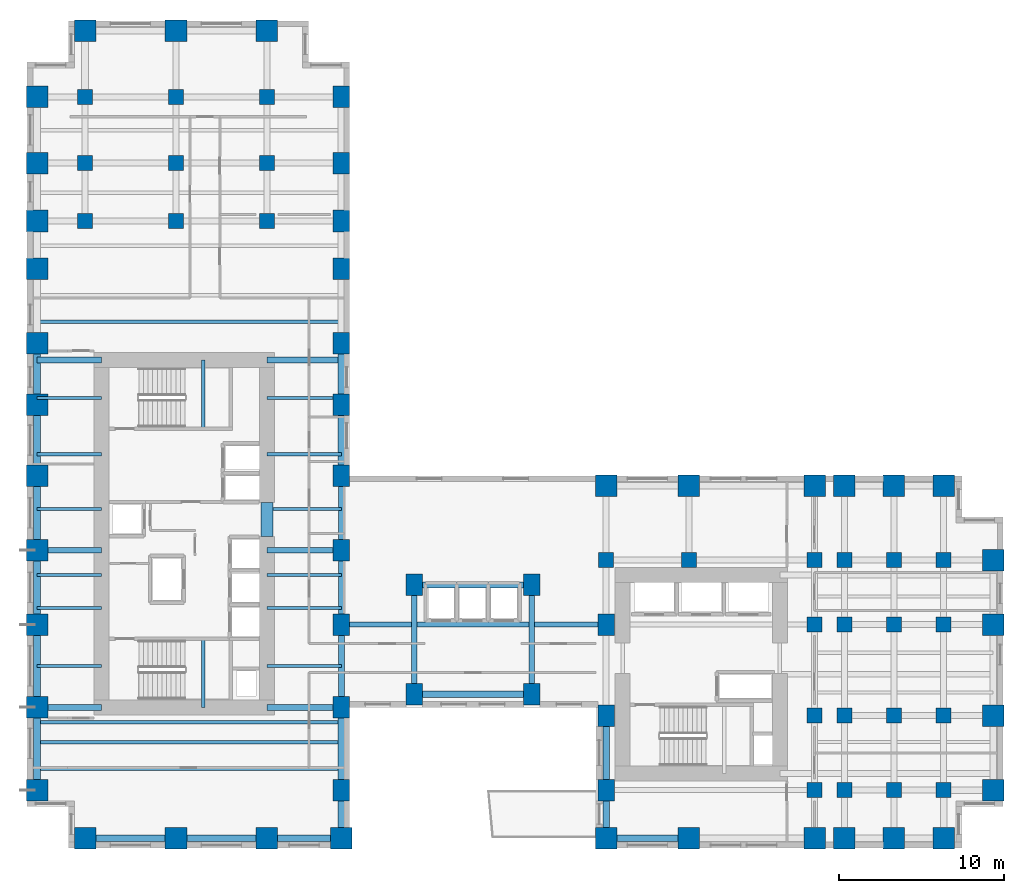
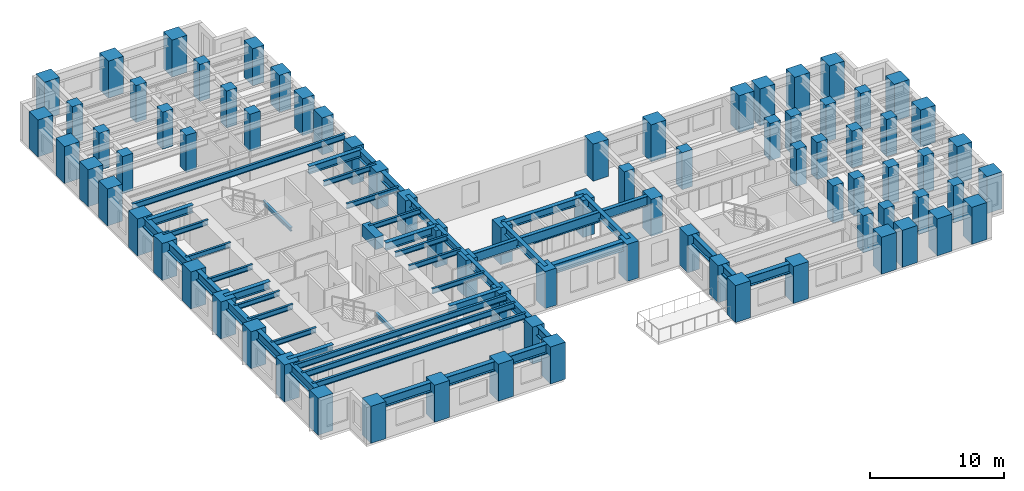
# One storey, part 1 of 12: 79 columns, 49 beams.
"""IFC4 building model written with IfcOpenShell, lengths in metres."""

from ifc_helpers import new_model, si_unit, direction, frame, origin, origin_2d, place, context, subcontext, project, spatial, rectangle, i_section, extrude, source, transform, mapped, material, material_profile, profile_set, type_object, element, save


model = new_model("IFC4")

# Units and contexts
model_context = context("Model", 3, precision=1e-05, world=origin(), true_north=direction((0.0, 1.0)))
body_context = subcontext(model_context, "Body", "Model", "MODEL_VIEW")
ifc_project = project(units=[si_unit("LENGTHUNIT", "METRE"), si_unit("AREAUNIT", "SQUARE_METRE"), si_unit("VOLUMEUNIT", "CUBIC_METRE"), si_unit("PLANEANGLEUNIT", "RADIAN"), si_unit("MASSUNIT", "GRAM", prefix="KILO")], contexts=[model_context])

# Site, building, storey
site_placement = place(None, origin())
site = spatial("IfcSite", under=ifc_project, at=site_placement, CompositionType="ELEMENT")
building_placement = place(site_placement, origin())
building = spatial("IfcBuilding", under=site, at=building_placement, Name="Kharzan Plaza Tower", CompositionType="ELEMENT")
storey_placement = place(building_placement, frame((0.0, 0.0, 33.300048828125)))
storey = spatial("IfcBuildingStorey", under=building, at=storey_placement, Name="L08", CompositionType="ELEMENT", Elevation=33.300048828125)

# Columns
ifc_material_1 = material(Name="Concrete C50/60", Category="concrete")
ifc_material_profile_1 = material_profile(ifc_material_1, rectangle(XDim=0.89990234375, YDim=0.89990234375, at=origin_2d()), Name="RC-IC900x900")
ifc_profile_set_1 = profile_set([ifc_material_profile_1], Name="Concrete C50/60")
column_type_1 = type_object("IfcColumnType", Name="COL-IC900", PredefinedType="COLUMN", material=ifc_profile_set_1)
shared_shape_1 = source(origin(), body_context, "Body", "SweptSolid", [
    extrude(rectangle(XDim=0.89990234375, YDim=0.89990234375, at=origin_2d()), origin(), (0.0, 0.0, 1.0), 3.3798828125),
])
for number, where, z_axis, x_axis, name in (
    (1, (47.60009765625, 13.5, 0.0), (0.0, 0.0, 1.0), (1.0, 0.0, 0.0), "L08 Structural Column TCBI-135"),
    (2, (47.60009765625, 3.5, 0.0), (0.0, 0.0, 1.0), (1.0, 0.0, 0.0), "L08 Structural Column TCBI-35"),
    (3, (47.60009765625, 8.0, 0.0), (0.0, 0.0, 1.0), (1.0, 0.0, 0.0), "L08 Structural Column TCBI-80"),
    (4, (35.0, 17.39990234375, 0.0), (0.0, 0.0, 1.0), (1.0, 0.0, 0.0), "L08 Structural Column TCBN-350-174"),
    (5, (40.0, 17.39990234375, 0.0), (0.0, 0.0, 1.0), (1.0, 0.0, 0.0), "L08 Structural Column TCBN-400-174"),
    (6, (47.60009765625, 17.39990234375, 0.0), (0.0, 0.0, 1.0), (1.0, 0.0, 0.0), "L08 Structural Column TCBN-476-174"),
    (7, (49.39990234375, 13.5, 0.0), (0.0, 0.0, 1.0), (1.0, 0.0, 0.0), "L08 Structural Column TCE-494-135"),
    (8, (49.39990234375, 17.39990234375, 0.0), (0.0, 0.0, 1.0), (1.0, 0.0, 0.0), "L08 Structural Column TCE-494-174"),
    (9, (49.39990234375, 3.5, 0.0), (0.0, 0.0, 1.0), (1.0, 0.0, 0.0), "L08 Structural Column TCE-494-35"),
    (10, (49.39990234375, 8.0, 0.0), (0.0, 0.0, 1.0), (1.0, 0.0, 0.0), "L08 Structural Column TCE-494-80"),
    (11, (52.39990234375, 13.5, 0.0), (0.0, 0.0, 1.0), (1.0, 0.0, 0.0), "L08 Structural Column TCE-524-135"),
    (12, (52.39990234375, 17.39990234375, 0.0), (0.0, 0.0, 1.0), (1.0, 0.0, 0.0), "L08 Structural Column TCE-524-174"),
    (13, (52.39990234375, 3.5, 0.0), (0.0, 0.0, 1.0), (1.0, 0.0, 0.0), "L08 Structural Column TCE-524-35"),
    (14, (52.39990234375, 8.0, 0.0), (0.0, 0.0, 1.0), (1.0, 0.0, 0.0), "L08 Structural Column TCE-524-80"),
    (15, (55.39990234375, 13.5, 0.0), (0.0, 0.0, 1.0), (1.0, 0.0, 0.0), "L08 Structural Column TCE-554-135"),
    (16, (55.39990234375, 17.39990234375, 0.0), (0.0, 0.0, 1.0), (1.0, 0.0, 0.0), "L08 Structural Column TCE-554-174"),
    (17, (55.39990234375, 3.5, 0.0), (0.0, 0.0, 1.0), (1.0, 0.0, 0.0), "L08 Structural Column TCE-554-35"),
    (18, (55.39990234375, 8.0, 0.0), (0.0, 0.0, 1.0), (1.0, 0.0, 0.0), "L08 Structural Column TCE-554-80"),
    (19, (14.5, 37.89990234375, 0.0), (0.0, 0.0, 1.0), (1.0, 0.0, 0.0), "L08 Structural Column TCN-145-379"),
    (20, (14.5, 41.39990234375, 0.0), (0.0, 0.0, 1.0), (1.0, 0.0, 0.0), "L08 Structural Column TCN-145-414"),
    (21, (14.5, 45.39990234375, 0.0), (0.0, 0.0, 1.0), (1.0, 0.0, 0.0), "L08 Structural Column TCN-145-454"),
    (22, (3.5, 37.89990234375, 0.0), (0.0, 0.0, 1.0), (1.0, 0.0, 0.0), "L08 Structural Column TCN-35-379"),
    (23, (3.5, 41.39990234375, 0.0), (0.0, 0.0, 1.0), (1.0, 0.0, 0.0), "L08 Structural Column TCN-35-414"),
    (24, (3.5, 45.39990234375, 0.0), (0.0, 0.0, 1.0), (1.0, 0.0, 0.0), "L08 Structural Column TCN-35-454"),
    (25, (9.0, 37.89990234375, 0.0), (0.0, 0.0, 1.0), (1.0, 0.0, 0.0), "L08 Structural Column TCN-90-379"),
    (26, (9.0, 41.39990234375, 0.0), (0.0, 0.0, 1.0), (1.0, 0.0, 0.0), "L08 Structural Column TCN-90-414"),
    (27, (9.0, 45.39990234375, 0.0), (0.0, 0.0, 1.0), (1.0, 0.0, 0.0), "L08 Structural Column TCN-90-454"),
):
    element("IfcColumn", number, at=place(storey_placement, frame(where, z_axis=z_axis, x_axis=x_axis)), inside=storey, type_object=column_type_1, Name=name, PredefinedType="COLUMN", context=body_context, shape_type="MappedRepresentation", body=[
        mapped(shared_shape_1, transform((0.0, 0.0, 0.0), x_axis=(1.0, 0.0, 0.0), y_axis=(0.0, 1.0, 0.0), z_axis=(0.0, 0.0, 1.0))),
    ])
ifc_material_2 = material(Name="Concrete C60/75", Category="concrete")
ifc_material_profile_2 = material_profile(ifc_material_2, rectangle(XDim=1.0, YDim=1.300048828125, at=origin_2d()), Name="RC-SC1300x1000")
ifc_profile_set_2 = profile_set([ifc_material_profile_2], Name="Concrete C60/75")
column_type_2 = type_object("IfcColumnType", Name="COL-SC1300", PredefinedType="COLUMN", material=ifc_profile_set_2)
shared_shape_2 = source(origin(), body_context, "Body", "SweptSolid", [
    extrude(rectangle(XDim=1.0, YDim=1.300048828125, at=origin_2d()), origin(), (0.0, 0.0, 1.0), 3.3798828125),
])
for number, where, z_axis, x_axis, name in (
    (28, (19.0, 13.5, 0.0), (0.0, 0.0, 1.0), (1.0, 0.0, 0.0), "L08 Structural Column TCA-135"),
    (29, (19.0, 18.0, 0.0), (0.0, 0.0, 1.0), (1.0, 0.0, 0.0), "L08 Structural Column TCA-180"),
    (30, (19.0, 22.5, 0.0), (0.0, 0.0, 1.0), (1.0, 0.0, 0.0), "L08 Structural Column TCA-225"),
    (31, (19.0, 26.800048828125, 0.0), (0.0, 0.0, 1.0), (1.0, 0.0, 0.0), "L08 Structural Column TCA-268"),
    (32, (19.0, 30.5, 0.0), (0.0, 0.0, 1.0), (1.0, 0.0, 0.0), "L08 Structural Column TCA-305"),
    (33, (19.0, 3.5, 0.0), (0.0, 0.0, 1.0), (1.0, 0.0, 0.0), "L08 Structural Column TCA-35"),
    (34, (19.0, 35.0, 0.0), (0.0, 0.0, 1.0), (1.0, 0.0, 0.0), "L08 Structural Column TCA-350"),
    (35, (19.0, 37.89990234375, 0.0), (0.0, 0.0, 1.0), (1.0, 0.0, 0.0), "L08 Structural Column TCA-379"),
    (36, (19.0, 41.39990234375, 0.0), (0.0, 0.0, 1.0), (1.0, 0.0, 0.0), "L08 Structural Column TCA-414"),
    (37, (19.0, 45.39990234375, 0.0), (0.0, 0.0, 1.0), (1.0, 0.0, 0.0), "L08 Structural Column TCA-454"),
    (38, (19.0, 8.5, 0.0), (0.0, 0.0, 1.0), (1.0, 0.0, 0.0), "L08 Structural Column TCA-85"),
    (39, (35.0, 13.5, 0.0), (0.0, 0.0, 1.0), (1.0, 0.0, 0.0), "L08 Structural Column TCBS-135"),
    (40, (35.0, 3.5, 0.0), (0.0, 0.0, 1.0), (1.0, 0.0, 0.0), "L08 Structural Column TCBS-35"),
    (41, (35.0, 8.0, 0.0), (0.0, 0.0, 1.0), (1.0, 0.0, 0.0), "L08 Structural Column TCBS-80"),
    (42, (23.39990234375, 15.89990234375, 0.0), (0.0, 0.0, 1.0), (1.0, 0.0, 0.0), "L08 Structural Column TCSP-234-159"),
    (43, (23.39990234375, 9.300048828125, 0.0), (0.0, 0.0, 1.0), (1.0, 0.0, 0.0), "L08 Structural Column TCSP-234-93"),
    (44, (30.5, 15.89990234375, 0.0), (0.0, 0.0, 1.0), (1.0, 0.0, 0.0), "L08 Structural Column TCSP-305-159"),
    (45, (30.5, 9.300048828125, 0.0), (0.0, 0.0, 1.0), (1.0, 0.0, 0.0), "L08 Structural Column TCSP-305-93"),
):
    element("IfcColumn", number, at=place(storey_placement, frame(where, z_axis=z_axis, x_axis=x_axis)), inside=storey, type_object=column_type_2, Name=name, PredefinedType="COLUMN", context=body_context, shape_type="MappedRepresentation", body=[
        mapped(shared_shape_2, transform((0.0, 0.0, 0.0), x_axis=(1.0, 0.0, 0.0), y_axis=(0.0, 1.0, 0.0), z_axis=(0.0, 0.0, 1.0))),
    ])
ifc_material_profile_3 = material_profile(ifc_material_2, rectangle(XDim=1.300048828125, YDim=1.300048828125, at=origin_2d()), Name="RC-TC1300x1300")
ifc_profile_set_3 = profile_set([ifc_material_profile_3], Name="Concrete C60/75")
column_type_3 = type_object("IfcColumnType", Name="COL-TC1300", PredefinedType="COLUMN", material=ifc_profile_set_3)
shared_shape_3 = source(origin(), body_context, "Body", "SweptSolid", [
    extrude(rectangle(XDim=1.300048828125, YDim=1.300048828125, at=origin_2d()), origin(), (0.0, 0.0, 1.0), 3.3798828125),
])
for number, where, z_axis, x_axis, name in (
    (46, (35.0, 21.89990234375, 0.0), (0.0, 0.0, 1.0), (1.0, 0.0, 0.0), "L08 Structural Column TCBN-350-219"),
    (47, (40.0, 21.89990234375, 0.0), (0.0, 0.0, 1.0), (1.0, 0.0, 0.0), "L08 Structural Column TCBN-400-219"),
    (48, (47.60009765625, 21.89990234375, 0.0), (0.0, 0.0, 1.0), (1.0, 0.0, 0.0), "L08 Structural Column TCBN-476-219"),
    (49, (49.39990234375, 21.89990234375, 0.0), (0.0, 0.0, 1.0), (1.0, 0.0, 0.0), "L08 Structural Column TCBN-494-219"),
    (50, (52.39990234375, 21.89990234375, 0.0), (0.0, 0.0, 1.0), (1.0, 0.0, 0.0), "L08 Structural Column TCBN-524-219"),
    (51, (55.39990234375, 21.89990234375, 0.0), (0.0, 0.0, 1.0), (1.0, 0.0, 0.0), "L08 Structural Column TCBN-554-219"),
    (52, (58.39990234375, 13.5, 0.0), (0.0, 0.0, 1.0), (1.0, 0.0, 0.0), "L08 Structural Column TCE-584-135"),
    (53, (58.39990234375, 17.39990234375, 0.0), (0.0, 0.0, 1.0), (1.0, 0.0, 0.0), "L08 Structural Column TCE-584-174"),
    (54, (58.39990234375, 3.5, 0.0), (0.0, 0.0, 1.0), (1.0, 0.0, 0.0), "L08 Structural Column TCE-584-35"),
    (55, (58.39990234375, 8.0, 0.0), (0.0, 0.0, 1.0), (1.0, 0.0, 0.0), "L08 Structural Column TCE-584-80"),
    (56, (14.5, 49.39990234375, 0.0), (0.0, 0.0, 1.0), (1.0, 0.0, 0.0), "L08 Structural Column TCN-145-494"),
    (57, (3.5, 49.39990234375, 0.0), (0.0, 0.0, 1.0), (1.0, 0.0, 0.0), "L08 Structural Column TCN-35-494"),
    (58, (9.0, 49.39990234375, 0.0), (0.0, 0.0, 1.0), (1.0, 0.0, 0.0), "L08 Structural Column TCN-90-494"),
    (59, (14.5, 0.60009765625, 0.0), (0.0, 0.0, 1.0), (1.0, 0.0, 0.0), "L08 Structural Column TCS-145"),
    (60, (19.0, 0.60009765625, 0.0), (0.0, 0.0, 1.0), (1.0, 0.0, 0.0), "L08 Structural Column TCS-190"),
    (61, (3.5, 0.60009765625, 0.0), (0.0, 0.0, 1.0), (1.0, 0.0, 0.0), "L08 Structural Column TCS-35"),
    (62, (35.0, 0.60009765625, 0.0), (0.0, 0.0, 1.0), (1.0, 0.0, 0.0), "L08 Structural Column TCS-350"),
    (63, (40.0, 0.60009765625, 0.0), (0.0, 0.0, 1.0), (1.0, 0.0, 0.0), "L08 Structural Column TCS-400"),
    (64, (47.60009765625, 0.60009765625, 0.0), (0.0, 0.0, 1.0), (1.0, 0.0, 0.0), "L08 Structural Column TCS-476"),
    (65, (49.39990234375, 0.60009765625, 0.0), (0.0, 0.0, 1.0), (1.0, 0.0, 0.0), "L08 Structural Column TCS-494"),
    (66, (52.39990234375, 0.60009765625, 0.0), (0.0, 0.0, 1.0), (1.0, 0.0, 0.0), "L08 Structural Column TCS-524"),
    (67, (55.39990234375, 0.60009765625, 0.0), (0.0, 0.0, 1.0), (1.0, 0.0, 0.0), "L08 Structural Column TCS-554"),
    (68, (9.0, 0.60009765625, 0.0), (0.0, 0.0, 1.0), (1.0, 0.0, 0.0), "L08 Structural Column TCS-90"),
    (69, (0.60009765625, 13.5, 0.0), (0.0, 0.0, 1.0), (1.0, 0.0, 0.0), "L08 Structural Column TCW-135"),
    (70, (0.60009765625, 18.0, 0.0), (0.0, 0.0, 1.0), (1.0, 0.0, 0.0), "L08 Structural Column TCW-180"),
    (71, (0.60009765625, 22.5, 0.0), (0.0, 0.0, 1.0), (1.0, 0.0, 0.0), "L08 Structural Column TCW-225"),
    (72, (0.60009765625, 26.800048828125, 0.0), (0.0, 0.0, 1.0), (1.0, 0.0, 0.0), "L08 Structural Column TCW-268"),
    (73, (0.60009765625, 30.5, 0.0), (0.0, 0.0, 1.0), (1.0, 0.0, 0.0), "L08 Structural Column TCW-305"),
    (74, (0.60009765625, 3.5, 0.0), (0.0, 0.0, 1.0), (1.0, 0.0, 0.0), "L08 Structural Column TCW-35"),
    (75, (0.60009765625, 35.0, 0.0), (0.0, 0.0, 1.0), (1.0, 0.0, 0.0), "L08 Structural Column TCW-350"),
    (76, (0.60009765625, 37.89990234375, 0.0), (0.0, 0.0, 1.0), (1.0, 0.0, 0.0), "L08 Structural Column TCW-379"),
    (77, (0.60009765625, 41.39990234375, 0.0), (0.0, 0.0, 1.0), (1.0, 0.0, 0.0), "L08 Structural Column TCW-414"),
    (78, (0.60009765625, 45.39990234375, 0.0), (0.0, 0.0, 1.0), (1.0, 0.0, 0.0), "L08 Structural Column TCW-454"),
    (79, (0.60009765625, 8.5, 0.0), (0.0, 0.0, 1.0), (1.0, 0.0, 0.0), "L08 Structural Column TCW-85"),
):
    element("IfcColumn", number, at=place(storey_placement, frame(where, z_axis=z_axis, x_axis=x_axis)), inside=storey, type_object=column_type_3, Name=name, PredefinedType="COLUMN", context=body_context, shape_type="MappedRepresentation", body=[
        mapped(shared_shape_3, transform((0.0, 0.0, 0.0), x_axis=(1.0, 0.0, 0.0), y_axis=(0.0, 1.0, 0.0), z_axis=(0.0, 0.0, 1.0))),
    ])

# Beams
ifc_material_profile_4 = material_profile(ifc_material_2, rectangle(XDim=0.699951171875, YDim=1.10009765625, at=origin_2d()), Name="RC-CB1100x700")
ifc_profile_set_4 = profile_set([ifc_material_profile_4], Name="Concrete C60/75")
beam_type_1 = type_object("IfcBeamType", Name="BM-RCCB1100", PredefinedType="LINTEL", material=ifc_profile_set_4)
shared_shape_4 = source(origin(), body_context, "Body", "SweptSolid", [
    extrude(rectangle(XDim=0.699951171875, YDim=1.10009765625, at=origin_2d()), origin(), (0.0, 0.0, 1.0), 2.059814453125),
])
beam_1_placement = place(storey_placement, frame((14.5, 18.820068359375, 2.829833984375), z_axis=(0.0, 1.0, 0.0), x_axis=(-1.0, 0.0, 0.0)))
element("IfcBeam", 80, at=beam_1_placement, inside=storey, type_object=beam_type_1, Name="L08 CORE-A RC coupling beam CB1", PredefinedType="LINTEL", context=body_context, shape_type="MappedRepresentation", body=[
    mapped(shared_shape_4, transform((0.0, 0.0, 0.0), x_axis=(1.0, 0.0, 0.0), y_axis=(0.0, 1.0, 0.0), z_axis=(0.0, 0.0, 1.0))),
])
ifc_material_3 = material(Name="Steel S355", Category="steel")
ifc_material_profile_5 = material_profile(ifc_material_3, i_section(OverallWidth=0.205078125, OverallDepth=0.35400390625, WebThickness=0.009521484375, FlangeThickness=0.016845703125, at=origin_2d()), Name="W360x79")
ifc_profile_set_5 = profile_set([ifc_material_profile_5], Name="Steel S355")
beam_type_2 = type_object("IfcBeamType", Name="BM-LNT360", PredefinedType="LINTEL", material=ifc_profile_set_5)
shared_shape_5 = source(origin(), body_context, "Body", "SweptSolid", [
    extrude(i_section(OverallWidth=0.205078125, OverallDepth=0.35400390625, WebThickness=0.009521484375, FlangeThickness=0.016845703125, at=origin_2d()), origin(), (0.0, 0.0, 1.0), 4.155029296875),
])
for number, where, z_axis, x_axis, name in (
    (81, (10.64990234375, 8.5, 1.4228515625), (0.0, 1.0, 0.0), (-1.0, 0.0, 0.0), "L08 Stair ST-1 Half-Landing Beam"),
    (82, (10.64990234375, 25.344970703125, 1.4228515625), (0.0, 1.0, 0.0), (-1.0, 0.0, 0.0), "L08 Stair ST-2 Half-Landing Beam"),
):
    element("IfcBeam", number, at=place(storey_placement, frame(where, z_axis=z_axis, x_axis=x_axis)), inside=storey, type_object=beam_type_2, Name=name, PredefinedType="LINTEL", context=body_context, shape_type="MappedRepresentation", body=[
        mapped(shared_shape_5, transform((0.0, 0.0, 0.0), x_axis=(1.0, 0.0, 0.0), y_axis=(0.0, 1.0, 0.0), z_axis=(0.0, 0.0, 1.0))),
    ])
ifc_material_profile_6 = material_profile(ifc_material_3, i_section(OverallWidth=0.304931640625, OverallDepth=0.9189453125, WebThickness=0.017333984375, FlangeThickness=0.02783203125, at=origin_2d()), Name="W920x253")
ifc_profile_set_6 = profile_set([ifc_material_profile_6], Name="Steel S355")
beam_type_3 = type_object("IfcBeamType", Name="BM-FG920B", PredefinedType="BEAM", material=ifc_profile_set_6)
shared_shape_6 = source(origin(), body_context, "Body", "SweptSolid", [
    extrude(i_section(OverallWidth=0.304931640625, OverallDepth=0.9189453125, WebThickness=0.017333984375, FlangeThickness=0.02783203125, at=origin_2d()), origin(), (0.0, 0.0, 1.0), 16.0),
])
beam_2_placement = place(storey_placement, frame((19.0, 13.5, 2.92041015625), z_axis=(1.0, 0.0, 0.0), x_axis=(0.0, 1.0, 0.0)))
element("IfcBeam", 83, at=beam_2_placement, inside=storey, type_object=beam_type_3, Name="L08 Primary Floor Girder", PredefinedType="BEAM", context=body_context, shape_type="MappedRepresentation", body=[
    mapped(shared_shape_6, transform((0.0, 0.0, 0.0), x_axis=(1.0, 0.0, 0.0), y_axis=(0.0, 1.0, 0.0), z_axis=(0.0, 0.0, 1.0))),
])
ifc_material_profile_7 = material_profile(ifc_material_3, i_section(OverallWidth=0.35498046875, OverallDepth=0.695068359375, WebThickness=0.015380859375, FlangeThickness=0.02490234375, at=origin_2d()), Name="W690x217")
ifc_profile_set_7 = profile_set([ifc_material_profile_7], Name="Steel S355")
beam_type_4 = type_object("IfcBeamType", Name="BM-FG690A", PredefinedType="BEAM", material=ifc_profile_set_7)
shared_shape_7 = source(origin(), body_context, "Body", "SweptSolid", [
    extrude(i_section(OverallWidth=0.35498046875, OverallDepth=0.695068359375, WebThickness=0.015380859375, FlangeThickness=0.02490234375, at=origin_2d()), origin(), (0.0, 0.0, 1.0), 4.5),
])
for number, where, z_axis, x_axis, name in (
    (84, (14.5, 8.5, 3.032470703125), (1.0, 0.0, 0.0), (0.0, 1.0, 0.0), "L08 Core-A East Floor Girder 1"),
    (85, (14.5, 18.0, 3.032470703125), (1.0, 0.0, 0.0), (0.0, 1.0, 0.0), "L08 Core-A East Floor Girder 2"),
    (86, (14.5, 29.5, 3.032470703125), (1.0, 0.0, 0.0), (0.0, 1.0, 0.0), "L08 Core-A East Floor Girder 3"),
    (87, (19.0, 13.5, 3.032470703125), (0.0, 1.0, 0.0), (-1.0, 0.0, 0.0), "L08 Interior Frame Girder"),
    (88, (19.0, 18.0, 3.032470703125), (0.0, 1.0, 0.0), (-1.0, 0.0, 0.0), "L08 Interior Frame Girder"),
):
    element("IfcBeam", number, at=place(storey_placement, frame(where, z_axis=z_axis, x_axis=x_axis)), inside=storey, type_object=beam_type_4, Name=name, PredefinedType="BEAM", context=body_context, shape_type="MappedRepresentation", body=[
        mapped(shared_shape_7, transform((0.0, 0.0, 0.0), x_axis=(1.0, 0.0, 0.0), y_axis=(0.0, 1.0, 0.0), z_axis=(0.0, 0.0, 1.0))),
    ])
shared_shape_8 = source(origin(), body_context, "Body", "SweptSolid", [
    extrude(i_section(OverallWidth=0.35498046875, OverallDepth=0.695068359375, WebThickness=0.015380859375, FlangeThickness=0.02490234375, at=origin_2d()), origin(), (0.0, 0.0, 1.0), 3.89990234375),
])
for number, where, z_axis, x_axis, name in (
    (89, (0.60009765625, 8.5, 3.032470703125), (1.0, 0.0, 0.0), (0.0, 1.0, 0.0), "L08 Core-A West Floor Girder 1"),
    (90, (0.60009765625, 18.0, 3.032470703125), (1.0, 0.0, 0.0), (0.0, 1.0, 0.0), "L08 Core-A West Floor Girder 2"),
    (91, (0.60009765625, 29.5, 3.032470703125), (1.0, 0.0, 0.0), (0.0, 1.0, 0.0), "L08 Core-A West Floor Girder 3"),
):
    element("IfcBeam", number, at=place(storey_placement, frame(where, z_axis=z_axis, x_axis=x_axis)), inside=storey, type_object=beam_type_4, Name=name, PredefinedType="BEAM", context=body_context, shape_type="MappedRepresentation", body=[
        mapped(shared_shape_8, transform((0.0, 0.0, 0.0), x_axis=(1.0, 0.0, 0.0), y_axis=(0.0, 1.0, 0.0), z_axis=(0.0, 0.0, 1.0))),
    ])
shared_shape_9 = source(origin(), body_context, "Body", "SweptSolid", [
    extrude(i_section(OverallWidth=0.35498046875, OverallDepth=0.695068359375, WebThickness=0.015380859375, FlangeThickness=0.02490234375, at=origin_2d()), origin(), (0.0, 0.0, 1.0), 5.0),
])
beam_3_placement = place(storey_placement, frame((19.0, 8.5, 3.032470703125), z_axis=(0.0, 1.0, 0.0), x_axis=(-1.0, 0.0, 0.0)))
element("IfcBeam", 92, at=beam_3_placement, inside=storey, type_object=beam_type_4, Name="L08 Interior Frame Girder", PredefinedType="BEAM", context=body_context, shape_type="MappedRepresentation", body=[
    mapped(shared_shape_9, transform((0.0, 0.0, 0.0), x_axis=(1.0, 0.0, 0.0), y_axis=(0.0, 1.0, 0.0), z_axis=(0.0, 0.0, 1.0))),
])
shared_shape_10 = source(origin(), body_context, "Body", "SweptSolid", [
    extrude(i_section(OverallWidth=0.35498046875, OverallDepth=0.695068359375, WebThickness=0.015380859375, FlangeThickness=0.02490234375, at=origin_2d()), origin(), (0.0, 0.0, 1.0), 6.599853515625),
])
for number, where, z_axis, x_axis, name in (
    (93, (23.39990234375, 9.300048828125, 3.032470703125), (0.0, 1.0, 0.0), (-1.0, 0.0, 0.0), "L08 Interior Frame Girder"),
    (94, (30.5, 9.300048828125, 3.032470703125), (0.0, 1.0, 0.0), (-1.0, 0.0, 0.0), "L08 Interior Frame Girder"),
):
    element("IfcBeam", number, at=place(storey_placement, frame(where, z_axis=z_axis, x_axis=x_axis)), inside=storey, type_object=beam_type_4, Name=name, PredefinedType="BEAM", context=body_context, shape_type="MappedRepresentation", body=[
        mapped(shared_shape_10, transform((0.0, 0.0, 0.0), x_axis=(1.0, 0.0, 0.0), y_axis=(0.0, 1.0, 0.0), z_axis=(0.0, 0.0, 1.0))),
    ])
shared_shape_11 = source(origin(), body_context, "Body", "SweptSolid", [
    extrude(i_section(OverallWidth=0.35498046875, OverallDepth=0.695068359375, WebThickness=0.015380859375, FlangeThickness=0.02490234375, at=origin_2d()), origin(), (0.0, 0.0, 1.0), 7.10009765625),
])
beam_4_placement = place(storey_placement, frame((23.39990234375, 15.89990234375, 3.032470703125), z_axis=(1.0, 0.0, 0.0), x_axis=(0.0, 1.0, 0.0)))
element("IfcBeam", 95, at=beam_4_placement, inside=storey, type_object=beam_type_4, Name="L08 Primary Floor Girder", PredefinedType="BEAM", context=body_context, shape_type="MappedRepresentation", body=[
    mapped(shared_shape_11, transform((0.0, 0.0, 0.0), x_axis=(1.0, 0.0, 0.0), y_axis=(0.0, 1.0, 0.0), z_axis=(0.0, 0.0, 1.0))),
])
ifc_material_profile_8 = material_profile(ifc_material_3, i_section(OverallWidth=0.2099609375, OverallDepth=0.537109375, WebThickness=0.010986328125, FlangeThickness=0.017333984375, at=origin_2d()), Name="W530x101")
ifc_profile_set_8 = profile_set([ifc_material_profile_8], Name="Steel S355")
beam_type_5 = type_object("IfcBeamType", Name="BM-JST530B", PredefinedType="JOIST", material=ifc_profile_set_8)
shared_shape_12 = source(origin(), body_context, "Body", "SweptSolid", [
    extrude(i_section(OverallWidth=0.2099609375, OverallDepth=0.537109375, WebThickness=0.010986328125, FlangeThickness=0.017333984375, at=origin_2d()), origin(), (0.0, 0.0, 1.0), 18.39990234375),
])
for number, where, z_axis, x_axis, name in (
    (96, (0.60009765625, 4.800048828125, 3.111572265625), (1.0, 0.0, 0.0), (0.0, 1.0, 0.0), "L08 Wing A Composite Joist 01"),
    (97, (0.60009765625, 6.39990234375, 3.111572265625), (1.0, 0.0, 0.0), (0.0, 1.0, 0.0), "L08 Wing A Composite Joist 02"),
    (98, (0.60009765625, 7.60009765625, 3.111572265625), (1.0, 0.0, 0.0), (0.0, 1.0, 0.0), "L08 Wing A Composite Joist 03"),
    (99, (0.60009765625, 31.800048828125, 3.111572265625), (1.0, 0.0, 0.0), (0.0, 1.0, 0.0), "L08 Wing A Composite Joist 04"),
):
    element("IfcBeam", number, at=place(storey_placement, frame(where, z_axis=z_axis, x_axis=x_axis)), inside=storey, type_object=beam_type_5, Name=name, PredefinedType="JOIST", context=body_context, shape_type="MappedRepresentation", body=[
        mapped(shared_shape_12, transform((0.0, 0.0, 0.0), x_axis=(1.0, 0.0, 0.0), y_axis=(0.0, 1.0, 0.0), z_axis=(0.0, 0.0, 1.0))),
    ])
ifc_material_profile_9 = material_profile(ifc_material_3, i_section(OverallWidth=0.194091796875, OverallDepth=0.468994140625, WebThickness=0.011474609375, FlangeThickness=0.0205078125, at=origin_2d()), Name="W460x106")
ifc_profile_set_9 = profile_set([ifc_material_profile_9], Name="Steel S355")
beam_type_6 = type_object("IfcBeamType", Name="BM-JST460", PredefinedType="JOIST", material=ifc_profile_set_9)
shared_shape_13 = source(origin(), body_context, "Body", "SweptSolid", [
    extrude(i_section(OverallWidth=0.194091796875, OverallDepth=0.468994140625, WebThickness=0.011474609375, FlangeThickness=0.0205078125, at=origin_2d()), origin(), (0.0, 0.0, 1.0), 4.5),
])
for number, where, z_axis, x_axis, name in (
    (100, (14.5, 11.0, 3.1455078125), (1.0, 0.0, 0.0), (0.0, 1.0, 0.0), "L08 Wing A East Infill Joist 1"),
    (101, (14.5, 14.5, 3.1455078125), (1.0, 0.0, 0.0), (0.0, 1.0, 0.0), "L08 Wing A East Infill Joist 2"),
    (102, (14.5, 16.5, 3.1455078125), (1.0, 0.0, 0.0), (0.0, 1.0, 0.0), "L08 Wing A East Infill Joist 3"),
    (103, (14.5, 20.5, 3.1455078125), (1.0, 0.0, 0.0), (0.0, 1.0, 0.0), "L08 Wing A East Infill Joist 4"),
    (104, (14.5, 23.800048828125, 3.1455078125), (1.0, 0.0, 0.0), (0.0, 1.0, 0.0), "L08 Wing A East Infill Joist 5"),
    (105, (14.5, 27.199951171875, 3.1455078125), (1.0, 0.0, 0.0), (0.0, 1.0, 0.0), "L08 Wing A East Infill Joist 6"),
):
    element("IfcBeam", number, at=place(storey_placement, frame(where, z_axis=z_axis, x_axis=x_axis)), inside=storey, type_object=beam_type_6, Name=name, PredefinedType="JOIST", context=body_context, shape_type="MappedRepresentation", body=[
        mapped(shared_shape_13, transform((0.0, 0.0, 0.0), x_axis=(1.0, 0.0, 0.0), y_axis=(0.0, 1.0, 0.0), z_axis=(0.0, 0.0, 1.0))),
    ])
shared_shape_14 = source(origin(), body_context, "Body", "SweptSolid", [
    extrude(i_section(OverallWidth=0.194091796875, OverallDepth=0.468994140625, WebThickness=0.011474609375, FlangeThickness=0.0205078125, at=origin_2d()), origin(), (0.0, 0.0, 1.0), 3.89990234375),
])
for number, where, z_axis, x_axis, name in (
    (106, (0.60009765625, 11.0, 3.1455078125), (1.0, 0.0, 0.0), (0.0, 1.0, 0.0), "L08 Wing A West Infill Joist 1"),
    (107, (0.60009765625, 14.5, 3.1455078125), (1.0, 0.0, 0.0), (0.0, 1.0, 0.0), "L08 Wing A West Infill Joist 2"),
    (108, (0.60009765625, 16.5, 3.1455078125), (1.0, 0.0, 0.0), (0.0, 1.0, 0.0), "L08 Wing A West Infill Joist 3"),
    (109, (0.60009765625, 20.5, 3.1455078125), (1.0, 0.0, 0.0), (0.0, 1.0, 0.0), "L08 Wing A West Infill Joist 4"),
    (110, (0.60009765625, 23.800048828125, 3.1455078125), (1.0, 0.0, 0.0), (0.0, 1.0, 0.0), "L08 Wing A West Infill Joist 5"),
    (111, (0.60009765625, 27.199951171875, 3.1455078125), (1.0, 0.0, 0.0), (0.0, 1.0, 0.0), "L08 Wing A West Infill Joist 6"),
):
    element("IfcBeam", number, at=place(storey_placement, frame(where, z_axis=z_axis, x_axis=x_axis)), inside=storey, type_object=beam_type_6, Name=name, PredefinedType="JOIST", context=body_context, shape_type="MappedRepresentation", body=[
        mapped(shared_shape_14, transform((0.0, 0.0, 0.0), x_axis=(1.0, 0.0, 0.0), y_axis=(0.0, 1.0, 0.0), z_axis=(0.0, 0.0, 1.0))),
    ])
ifc_material_profile_10 = material_profile(ifc_material_3, i_section(OverallWidth=0.40087890625, OverallDepth=0.85498046875, WebThickness=0.018310546875, FlangeThickness=0.029296875, at=origin_2d()), Name="W840x299")
ifc_profile_set_10 = profile_set([ifc_material_profile_10], Name="Steel S355")
beam_type_7 = type_object("IfcBeamType", Name="BM-SP840A", PredefinedType="SPANDREL", material=ifc_profile_set_10)
shared_shape_15 = source(origin(), body_context, "Body", "SweptSolid", [
    extrude(i_section(OverallWidth=0.40087890625, OverallDepth=0.85498046875, WebThickness=0.018310546875, FlangeThickness=0.029296875, at=origin_2d()), origin(), (0.0, 0.0, 1.0), 5.0),
])
for number, where, z_axis, x_axis, name in (
    (112, (0.60009765625, 3.5, 2.952392578125), (0.0, 1.0, 0.0), (-1.0, 0.0, 0.0), "L08 Perimeter Tube Spandrel"),
    (113, (0.60009765625, 8.5, 2.952392578125), (0.0, 1.0, 0.0), (-1.0, 0.0, 0.0), "L08 Perimeter Tube Spandrel"),
    (114, (19.0, 3.5, 2.952392578125), (0.0, 1.0, 0.0), (-1.0, 0.0, 0.0), "L08 Perimeter Tube Spandrel"),
    (115, (35.0, 0.60009765625, 2.952392578125), (1.0, 0.0, 0.0), (0.0, 1.0, 0.0), "L08 Perimeter Tube Spandrel"),
):
    element("IfcBeam", number, at=place(storey_placement, frame(where, z_axis=z_axis, x_axis=x_axis)), inside=storey, type_object=beam_type_7, Name=name, PredefinedType="SPANDREL", context=body_context, shape_type="MappedRepresentation", body=[
        mapped(shared_shape_15, transform((0.0, 0.0, 0.0), x_axis=(1.0, 0.0, 0.0), y_axis=(0.0, 1.0, 0.0), z_axis=(0.0, 0.0, 1.0))),
    ])
shared_shape_16 = source(origin(), body_context, "Body", "SweptSolid", [
    extrude(i_section(OverallWidth=0.40087890625, OverallDepth=0.85498046875, WebThickness=0.018310546875, FlangeThickness=0.029296875, at=origin_2d()), origin(), (0.0, 0.0, 1.0), 4.5),
])
for number, where, z_axis, x_axis, name in (
    (116, (0.60009765625, 13.5, 2.952392578125), (0.0, 1.0, 0.0), (-1.0, 0.0, 0.0), "L08 Perimeter Tube Spandrel"),
    (117, (0.60009765625, 18.0, 2.952392578125), (0.0, 1.0, 0.0), (-1.0, 0.0, 0.0), "L08 Perimeter Tube Spandrel"),
    (118, (35.0, 3.5, 2.952392578125), (0.0, 1.0, 0.0), (-1.0, 0.0, 0.0), "L08 Perimeter Tube Spandrel"),
    (119, (14.5, 0.60009765625, 2.952392578125), (1.0, 0.0, 0.0), (0.0, 1.0, 0.0), "L08 Perimeter Tube Spandrel"),
):
    element("IfcBeam", number, at=place(storey_placement, frame(where, z_axis=z_axis, x_axis=x_axis)), inside=storey, type_object=beam_type_7, Name=name, PredefinedType="SPANDREL", context=body_context, shape_type="MappedRepresentation", body=[
        mapped(shared_shape_16, transform((0.0, 0.0, 0.0), x_axis=(1.0, 0.0, 0.0), y_axis=(0.0, 1.0, 0.0), z_axis=(0.0, 0.0, 1.0))),
    ])
shared_shape_17 = source(origin(), body_context, "Body", "SweptSolid", [
    extrude(i_section(OverallWidth=0.40087890625, OverallDepth=0.85498046875, WebThickness=0.018310546875, FlangeThickness=0.029296875, at=origin_2d()), origin(), (0.0, 0.0, 1.0), 4.300048828125),
])
for number, where, z_axis, x_axis, name in (
    (120, (0.60009765625, 22.5, 2.952392578125), (0.0, 1.0, 0.0), (-1.0, 0.0, 0.0), "L08 Perimeter Tube Spandrel"),
    (121, (19.0, 22.5, 2.952392578125), (0.0, 1.0, 0.0), (-1.0, 0.0, 0.0), "L08 Perimeter Tube Spandrel"),
):
    element("IfcBeam", number, at=place(storey_placement, frame(where, z_axis=z_axis, x_axis=x_axis)), inside=storey, type_object=beam_type_7, Name=name, PredefinedType="SPANDREL", context=body_context, shape_type="MappedRepresentation", body=[
        mapped(shared_shape_17, transform((0.0, 0.0, 0.0), x_axis=(1.0, 0.0, 0.0), y_axis=(0.0, 1.0, 0.0), z_axis=(0.0, 0.0, 1.0))),
    ])
shared_shape_18 = source(origin(), body_context, "Body", "SweptSolid", [
    extrude(i_section(OverallWidth=0.40087890625, OverallDepth=0.85498046875, WebThickness=0.018310546875, FlangeThickness=0.029296875, at=origin_2d()), origin(), (0.0, 0.0, 1.0), 3.699951171875),
])
for number, where, z_axis, x_axis, name in (
    (122, (0.60009765625, 26.800048828125, 2.952392578125), (0.0, 1.0, 0.0), (-1.0, 0.0, 0.0), "L08 Perimeter Tube Spandrel"),
    (123, (19.0, 26.800048828125, 2.952392578125), (0.0, 1.0, 0.0), (-1.0, 0.0, 0.0), "L08 Perimeter Tube Spandrel"),
):
    element("IfcBeam", number, at=place(storey_placement, frame(where, z_axis=z_axis, x_axis=x_axis)), inside=storey, type_object=beam_type_7, Name=name, PredefinedType="SPANDREL", context=body_context, shape_type="MappedRepresentation", body=[
        mapped(shared_shape_18, transform((0.0, 0.0, 0.0), x_axis=(1.0, 0.0, 0.0), y_axis=(0.0, 1.0, 0.0), z_axis=(0.0, 0.0, 1.0))),
    ])
shared_shape_19 = source(origin(), body_context, "Body", "SweptSolid", [
    extrude(i_section(OverallWidth=0.40087890625, OverallDepth=0.85498046875, WebThickness=0.018310546875, FlangeThickness=0.029296875, at=origin_2d()), origin(), (0.0, 0.0, 1.0), 2.89990234375),
])
for number, where, z_axis, x_axis, name in (
    (124, (19.0, 0.60009765625, 2.952392578125), (0.0, 1.0, 0.0), (-1.0, 0.0, 0.0), "L08 Perimeter Tube Spandrel"),
    (125, (35.0, 0.60009765625, 2.952392578125), (0.0, 1.0, 0.0), (-1.0, 0.0, 0.0), "L08 Perimeter Tube Spandrel"),
):
    element("IfcBeam", number, at=place(storey_placement, frame(where, z_axis=z_axis, x_axis=x_axis)), inside=storey, type_object=beam_type_7, Name=name, PredefinedType="SPANDREL", context=body_context, shape_type="MappedRepresentation", body=[
        mapped(shared_shape_19, transform((0.0, 0.0, 0.0), x_axis=(1.0, 0.0, 0.0), y_axis=(0.0, 1.0, 0.0), z_axis=(0.0, 0.0, 1.0))),
    ])
shared_shape_20 = source(origin(), body_context, "Body", "SweptSolid", [
    extrude(i_section(OverallWidth=0.40087890625, OverallDepth=0.85498046875, WebThickness=0.018310546875, FlangeThickness=0.029296875, at=origin_2d()), origin(), (0.0, 0.0, 1.0), 5.5),
])
for number, where, z_axis, x_axis, name in (
    (126, (3.5, 0.60009765625, 2.952392578125), (1.0, 0.0, 0.0), (0.0, 1.0, 0.0), "L08 Perimeter Tube Spandrel"),
    (127, (9.0, 0.60009765625, 2.952392578125), (1.0, 0.0, 0.0), (0.0, 1.0, 0.0), "L08 Perimeter Tube Spandrel"),
):
    element("IfcBeam", number, at=place(storey_placement, frame(where, z_axis=z_axis, x_axis=x_axis)), inside=storey, type_object=beam_type_7, Name=name, PredefinedType="SPANDREL", context=body_context, shape_type="MappedRepresentation", body=[
        mapped(shared_shape_20, transform((0.0, 0.0, 0.0), x_axis=(1.0, 0.0, 0.0), y_axis=(0.0, 1.0, 0.0), z_axis=(0.0, 0.0, 1.0))),
    ])
shared_shape_21 = source(origin(), body_context, "Body", "SweptSolid", [
    extrude(i_section(OverallWidth=0.40087890625, OverallDepth=0.85498046875, WebThickness=0.018310546875, FlangeThickness=0.029296875, at=origin_2d()), origin(), (0.0, 0.0, 1.0), 7.10009765625),
])
beam_5_placement = place(storey_placement, frame((23.39990234375, 9.300048828125, 2.952392578125), z_axis=(1.0, 0.0, 0.0), x_axis=(0.0, 1.0, 0.0)))
element("IfcBeam", 128, at=beam_5_placement, inside=storey, type_object=beam_type_7, Name="L08 Perimeter Tube Spandrel", PredefinedType="SPANDREL", context=body_context, shape_type="MappedRepresentation", body=[
    mapped(shared_shape_21, transform((0.0, 0.0, 0.0), x_axis=(1.0, 0.0, 0.0), y_axis=(0.0, 1.0, 0.0), z_axis=(0.0, 0.0, 1.0))),
])

save(model, "model.ifc")
